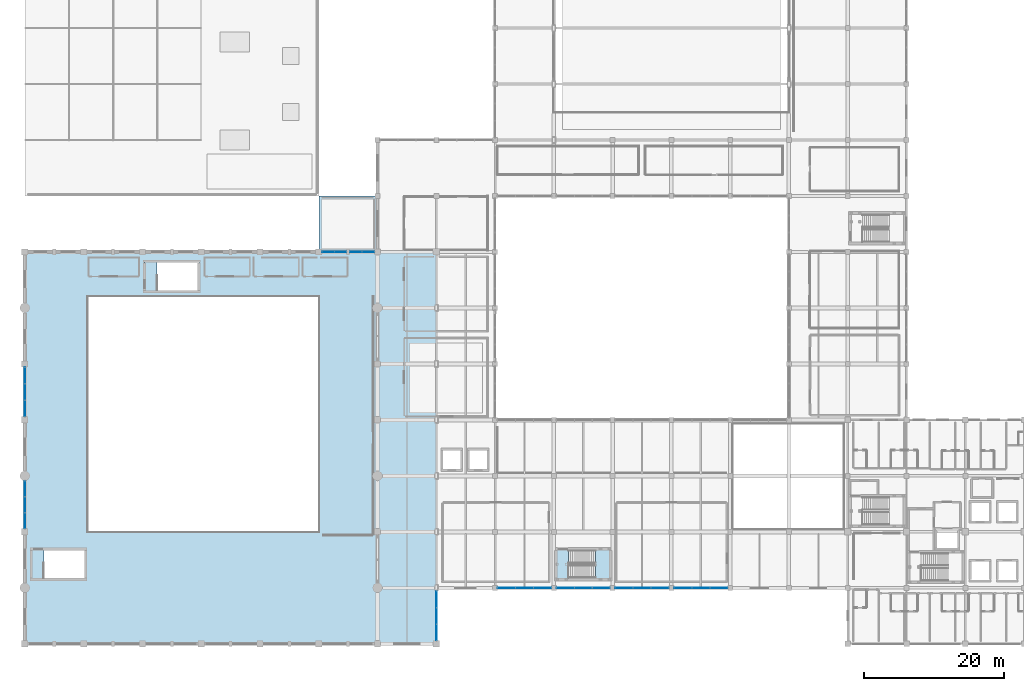
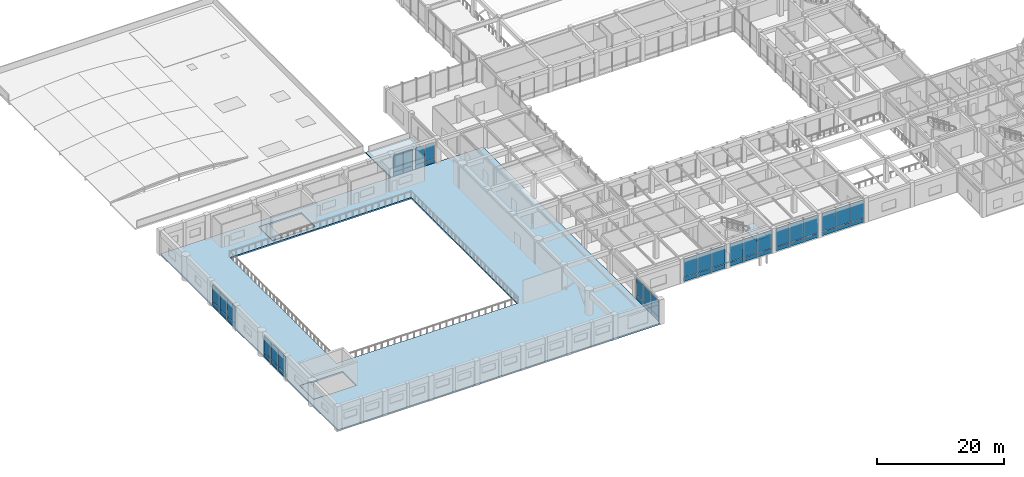
# One storey, part 44 of 76: 50 plates, 6 slabs, 10 elements without a shape of their own.
"""IFC4 building model written with IfcOpenShell, lengths in metres."""

import ifcopenshell
import ifcopenshell.guid

model = None  # the IFC model being written
_history = None  # IfcOwnerHistory: only IFC2X3 demands one
_inside = {}  # id of a spatial element -> (the spatial element, [elements in it])
_under = {}  # id of a project, library or spatial element -> (it, [spatial elements below it])
_declared = {}  # id of a project -> (the project, [libraries it declares])
_typed = {}  # id of a type object -> (the type object, [elements of that type])
_made_of = {}  # id of a material, layer set ... -> (it, [elements and type objects made of it])


def new_model(schema):
    """Start an empty IFC model of exactly this schema.

    Asked for "IFC4X3", IfcOpenShell would pick the latest addendum, in which some entities
    have other attributes; the version numbers below select the first issue.
    IFC2X3 requires an IfcOwnerHistory on every rooted entity: one is made here for all.
    """
    global model, _history
    if schema == "IFC4X3":
        model = ifcopenshell.file(schema_version=(4, 3, 0, 0))
    else:
        model = ifcopenshell.file(schema=schema)
    _inside.clear()
    _under.clear()
    _declared.clear()
    _typed.clear()
    _made_of.clear()
    _history = None
    if model.schema == "IFC2X3":
        org = make("IfcOrganization", Name="unknown")
        user = make(
            "IfcPersonAndOrganization",
            ThePerson=make("IfcPerson", FamilyName="unknown"),
            TheOrganization=org,
        )
        app = make(
            "IfcApplication",
            ApplicationDeveloper=org,
            Version="unknown",
            ApplicationFullName="unknown",
            ApplicationIdentifier="unknown",
        )
        _history = make(
            "IfcOwnerHistory",
            OwningUser=user,
            OwningApplication=app,
            ChangeAction="ADDED",
            CreationDate=0,
        )
    return model


def make(cls, **values):
    """One entity of the class cls with the attributes given. An attribute that is None is left unset."""
    return model.create_entity(
        cls, **{name: value for name, value in values.items() if value is not None}
    )


def rooted(cls, **values):
    """An entity with a GlobalId (a new one), such as an element, a storey or a relation."""
    return make(cls, GlobalId=ifcopenshell.guid.new(), OwnerHistory=_history, **values)


def si_unit(unit_type, name, prefix=None):
    """IfcSIUnit, for example si_unit("LENGTHUNIT", "METRE", prefix="MILLI")."""
    return make("IfcSIUnit", UnitType=unit_type, Prefix=prefix, Name=name)


def assignment(units):
    """IfcUnitAssignment: the units of a project."""
    return None if units is None else make("IfcUnitAssignment", Units=units)


def point(xyz):
    """IfcCartesianPoint."""
    return None if xyz is None else make("IfcCartesianPoint", Coordinates=xyz)


def direction(xyz):
    """IfcDirection."""
    return None if xyz is None else make("IfcDirection", DirectionRatios=xyz)


def frame(location, z_axis=None, x_axis=None):
    """IfcAxis2Placement3D, a coordinate frame: its origin and axes. An axis left out is left unset."""
    return make(
        "IfcAxis2Placement3D",
        Location=point(location),
        Axis=direction(z_axis),
        RefDirection=direction(x_axis),
    )


def frame_2d(location, x_axis=None):
    """IfcAxis2Placement2D, a coordinate frame in the plane: its origin and x axis."""
    return make(
        "IfcAxis2Placement2D", Location=point(location), RefDirection=direction(x_axis)
    )


def origin():
    """The frame at (0, 0, 0) with its axes left unset."""
    return frame((0.0, 0.0, 0.0))


def origin_2d():
    """The frame at (0, 0) in the plane with its x axis left unset."""
    return frame_2d((0.0, 0.0))


def place(relative_to, where):
    """IfcLocalPlacement: puts the frame where relative to a parent placement (None: the world)."""
    return make(
        "IfcLocalPlacement", PlacementRelTo=relative_to, RelativePlacement=where
    )


def context(
    kind, dimensions, precision=None, world=None, true_north=None, identifier=None
):
    """IfcGeometricRepresentationContext, for example the 3D "Model" context."""
    return make(
        "IfcGeometricRepresentationContext",
        ContextIdentifier=identifier,
        ContextType=kind,
        CoordinateSpaceDimension=dimensions,
        Precision=precision,
        WorldCoordinateSystem=world,
        TrueNorth=true_north,
    )


def subcontext(parent, identifier, kind, view, scale=None):
    """IfcGeometricRepresentationSubContext, for example "Body" below "Model"."""
    return make(
        "IfcGeometricRepresentationSubContext",
        ContextIdentifier=identifier,
        ContextType=kind,
        ParentContext=parent,
        TargetScale=scale,
        TargetView=view,
    )


def project(units=None, contexts=None):
    """IfcProject with its units and contexts."""
    return rooted(
        "IfcProject",
        Name="project",
        RepresentationContexts=contexts,
        UnitsInContext=assignment(units),
    )


def spatial(cls, under=None, at=None, **own):
    """A site, building, storey or space (cls), placed at a placement, below another one or the project."""
    s = rooted(cls, ObjectPlacement=at, **own)
    if under is not None:
        _under.setdefault(under.id(), (under, []))[1].append(s)
    return s


def polyline(points):
    """IfcPolyline through the points."""
    return make("IfcPolyline", Points=[point(p) for p in points])


def profile(cls, at=None, kind="AREA", **sizes):
    """A parametric profile (cls). Its sizes go by their IFC names, for example OverallWidth=200.0."""
    return make(cls, ProfileType=kind, Position=at, **sizes)


def rectangle(**sizes):
    """IfcRectangleProfileDef."""
    return profile("IfcRectangleProfileDef", **sizes)


def outline(outer, holes=None, kind="AREA"):
    """IfcArbitraryClosedProfileDef: a profile drawn as a closed curve; with holes, ...WithVoids."""
    if holes is None:
        return make("IfcArbitraryClosedProfileDef", ProfileType=kind, OuterCurve=outer)
    return make(
        "IfcArbitraryProfileDefWithVoids",
        ProfileType=kind,
        OuterCurve=outer,
        InnerCurves=holes,
    )


def extrude(swept, where, along, depth):
    """IfcExtrudedAreaSolid: the profile swept, set in the frame where, extruded along a direction by depth."""
    return make(
        "IfcExtrudedAreaSolid",
        SweptArea=swept,
        Position=where,
        ExtrudedDirection=direction(along),
        Depth=depth,
    )


def shape(context_of_items, identifier, shape_type, items):
    """IfcShapeRepresentation: the items that make up one representation, for example the "Body"."""
    return make(
        "IfcShapeRepresentation",
        ContextOfItems=context_of_items,
        RepresentationIdentifier=identifier,
        RepresentationType=shape_type,
        Items=items,
    )


def material(Name=None, Category=None):
    """IfcMaterial."""
    return make("IfcMaterial", Name=Name, Category=Category)


def layer(
    of_material, thickness, ventilated=None, Name=None, Category=None, Priority=None
):
    """IfcMaterialLayer: one layer of a wall or slab, of a material (None: an air gap)."""
    return make(
        "IfcMaterialLayer",
        Material=of_material,
        LayerThickness=thickness,
        IsVentilated=ventilated,
        Name=Name,
        Category=Category,
        Priority=Priority,
    )


def layer_set(layers, Name=None):
    """IfcMaterialLayerSet."""
    return make("IfcMaterialLayerSet", MaterialLayers=layers, LayerSetName=Name)


def made_of(thing, what):
    """Note that an element or type object is made of a material, layer set ...; save() writes the relation."""
    if what is not None:
        _made_of.setdefault(what.id(), (what, []))[1].append(thing)
    return thing


def type_object(cls, material=None, **own):
    """A type object (cls), such as IfcWallType, which elements share."""
    return made_of(rooted(cls, **own), material)


def element(
    cls,
    number,
    at=None,
    inside=None,
    cuts=None,
    type_object=None,
    material=None,
    context=None,
    identifier="Body",
    shape_type=None,
    held_by="IfcProductDefinitionShape",
    body=None,
    shapes=None,
    **own,
):
    """One element of the class cls, such as IfcWall. Its Tag is "e" and its number.

    at: its placement. inside: the storey or other place that contains it. cuts: it is an
    opening in that element (IfcRelVoidsElement). A single representation is given by context,
    identifier, shape_type and body (its items); several are given by shapes. held_by: the class
    of the entity that holds the representations. save() writes the other relations.
    """
    e = rooted(cls, Tag="e%d" % number, ObjectPlacement=at, **own)
    if body is not None:
        shapes = [shape(context, identifier, shape_type, body)]
    if shapes is not None:
        e.Representation = make(held_by, Representations=shapes)
    if inside is not None:
        _inside.setdefault(inside.id(), (inside, []))[1].append(e)
    if cuts is not None:
        rooted(
            "IfcRelVoidsElement", RelatingBuildingElement=cuts, RelatedOpeningElement=e
        )
    if type_object is not None:
        _typed.setdefault(type_object.id(), (type_object, []))[1].append(e)
    return made_of(e, material)


def aggregate(whole, parts):
    """IfcRelAggregates: a whole, such as a stair, and the parts it consists of."""
    return rooted("IfcRelAggregates", RelatingObject=whole, RelatedObjects=parts)


def save(model, path):
    """Write the relations noted so far, then the file.

    IfcRelAggregates (storeys below a building ...), IfcRelContainedInSpatialStructure (elements
    in a storey), IfcRelDefinesByType, IfcRelAssociatesMaterial and IfcRelDeclares: one each for
    every whole, place, type object, material and project.
    """
    for whole, parts in _under.values():
        aggregate(whole, parts)
    for where, things in _inside.values():
        rooted(
            "IfcRelContainedInSpatialStructure",
            RelatedElements=things,
            RelatingStructure=where,
        )
    for kind, things in _typed.values():
        rooted("IfcRelDefinesByType", RelatedObjects=things, RelatingType=kind)
    for what, things in _made_of.values():
        rooted("IfcRelAssociatesMaterial", RelatedObjects=things, RelatingMaterial=what)
    for by, libraries in _declared.values():
        rooted("IfcRelDeclares", RelatingContext=by, RelatedDefinitions=libraries)
    model.write(path)


model = new_model("IFC4")

# Units and contexts
model_context = context("Model", 3, precision=1e-05, world=origin(), true_north=direction((0.0, 1.0)))
body_context = subcontext(model_context, "Body", "Model", "MODEL_VIEW")
ifc_project = project(units=[si_unit("LENGTHUNIT", "METRE"), si_unit("AREAUNIT", "SQUARE_METRE"), si_unit("VOLUMEUNIT", "CUBIC_METRE"), si_unit("PLANEANGLEUNIT", "RADIAN"), si_unit("MASSUNIT", "GRAM", prefix="KILO")], contexts=[model_context])

# Site, building, storey
site_placement = place(None, origin())
site = spatial("IfcSite", under=ifc_project, at=site_placement, CompositionType="ELEMENT")
building_placement = place(site_placement, origin())
building = spatial("IfcBuilding", under=site, at=building_placement, Name="Naruveol Harbour Congress Hotel", CompositionType="ELEMENT")
storey_placement = place(building_placement, frame((0.0, 0.0, 11.39990234375)))
storey = spatial("IfcBuildingStorey", under=building, at=storey_placement, Name="L02", CompositionType="ELEMENT", Elevation=11.39990234375)

# Curtain wall, plates
ifc_material_1 = material(Name="Low-E Curtain Wall System", Category="glass")
ifc_layer_1 = layer(ifc_material_1, 0.179931640625)
ifc_layer_set_1 = layer_set([ifc_layer_1], Name="Low-E Curtain Wall System")
curtain_wall_type_1 = type_object("IfcCurtainWallType", Name="UNITISED CURTAIN WALL CW-V1W-04 6850X4220", PredefinedType="USERDEFINED", material=ifc_layer_set_1)
curtain_wall_1_placement = place(storey_placement, origin())
curtain_wall_1 = element("IfcCurtainWall", 1, at=curtain_wall_1_placement, inside=storey, type_object=curtain_wall_type_1, Name="Unitised curtain wall CW-V1W-04 L02", ObjectType="UNITISED GLAZING", PredefinedType="USERDEFINED")
ifc_material_2 = material(Name="Anodised Aluminium Spandrel", Category="aluminium")
ifc_layer_2 = layer(ifc_material_2, 0.054931640625)
ifc_layer_set_2 = layer_set([ifc_layer_2], Name="Anodised Aluminium Spandrel")
plate_type_1 = type_object("IfcPlateType", Name="INSULATED CERAMIC SPANDREL PANEL 55", PredefinedType="CURTAIN_PANEL", material=ifc_layer_set_2)
plate_1_placement = place(storey_placement, frame((-0.010009765625, 17.591796875, 0.0400390625), z_axis=(0.0, 0.0, 1.0), x_axis=(0.0, 1.0, 0.0)))
plate_1 = element("IfcPlate", 2, at=plate_1_placement, type_object=plate_type_1, Name="Curtain wall spandrel panel CW-L02-0004-PS0", PredefinedType="CURTAIN_PANEL", context=body_context, shape_type="SweptSolid", body=[
    extrude(rectangle(XDim=2.202880859375, YDim=0.054931640625, at=origin_2d()), origin(), (0.0, 0.0, 1.0), 0.77001953125),
])
plate_2_placement = place(storey_placement, frame((-0.010009765625, 19.875, 0.0400390625), z_axis=(0.0, 0.0, 1.0), x_axis=(0.0, 1.0, 0.0)))
plate_2 = element("IfcPlate", 3, at=plate_2_placement, type_object=plate_type_1, Name="Curtain wall spandrel panel CW-L02-0004-PS1", PredefinedType="CURTAIN_PANEL", context=body_context, shape_type="SweptSolid", body=[
    extrude(rectangle(XDim=2.202880859375, YDim=0.054931640625, at=origin_2d()), origin(), (0.0, 0.0, 1.0), 0.77001953125),
])
plate_3_placement = place(storey_placement, frame((-0.010009765625, 22.158203125, 0.0400390625), z_axis=(0.0, 0.0, 1.0), x_axis=(0.0, 1.0, 0.0)))
plate_3 = element("IfcPlate", 4, at=plate_3_placement, type_object=plate_type_1, Name="Curtain wall spandrel panel CW-L02-0004-PS2", PredefinedType="CURTAIN_PANEL", context=body_context, shape_type="SweptSolid", body=[
    extrude(rectangle(XDim=2.202880859375, YDim=0.054931640625, at=origin_2d()), origin(), (0.0, 0.0, 1.0), 0.77001953125),
])

ifc_material_3 = material(Name="Low-E Curtain Wall System", Category="glass")
ifc_layer_3 = layer(ifc_material_3, 0.179931640625)
ifc_layer_set_3 = layer_set([ifc_layer_3], Name="Low-E Curtain Wall System")
curtain_wall_type_2 = type_object("IfcCurtainWallType", Name="UNITISED CURTAIN WALL CW-V1W-05 7100X4220", PredefinedType="USERDEFINED", material=ifc_layer_set_3)
curtain_wall_2_placement = place(storey_placement, origin())
curtain_wall_2 = element("IfcCurtainWall", 5, at=curtain_wall_2_placement, inside=storey, type_object=curtain_wall_type_2, Name="Unitised curtain wall CW-V1W-05 L02", ObjectType="UNITISED GLAZING", PredefinedType="USERDEFINED")
plate_4_placement = place(storey_placement, frame((-0.010009765625, 33.63330078125, 0.0400390625), z_axis=(0.0, 0.0, 1.0), x_axis=(0.0, 1.0, 0.0)))
plate_4 = element("IfcPlate", 6, at=plate_4_placement, type_object=plate_type_1, Name="Curtain wall spandrel panel CW-L02-0005-PS0", PredefinedType="CURTAIN_PANEL", context=body_context, shape_type="SweptSolid", body=[
    extrude(rectangle(XDim=2.287109375, YDim=0.054931640625, at=origin_2d()), origin(), (0.0, 0.0, 1.0), 0.77001953125),
])
plate_5_placement = place(storey_placement, frame((-0.010009765625, 36.0, 0.0400390625), z_axis=(0.0, 0.0, 1.0), x_axis=(0.0, 1.0, 0.0)))
plate_5 = element("IfcPlate", 7, at=plate_5_placement, type_object=plate_type_1, Name="Curtain wall spandrel panel CW-L02-0005-PS1", PredefinedType="CURTAIN_PANEL", context=body_context, shape_type="SweptSolid", body=[
    extrude(rectangle(XDim=2.287109375, YDim=0.054931640625, at=origin_2d()), origin(), (0.0, 0.0, 1.0), 0.77001953125),
])
plate_6_placement = place(storey_placement, frame((-0.010009765625, 38.36669921875, 0.0400390625), z_axis=(0.0, 0.0, 1.0), x_axis=(0.0, 1.0, 0.0)))
plate_6 = element("IfcPlate", 8, at=plate_6_placement, type_object=plate_type_1, Name="Curtain wall spandrel panel CW-L02-0005-PS2", PredefinedType="CURTAIN_PANEL", context=body_context, shape_type="SweptSolid", body=[
    extrude(rectangle(XDim=2.287109375, YDim=0.054931640625, at=origin_2d()), origin(), (0.0, 0.0, 1.0), 0.77001953125),
])

ifc_material_4 = material(Name="Low-E Curtain Wall System", Category="glass")
ifc_layer_4 = layer(ifc_material_4, 0.179931640625)
ifc_layer_set_4 = layer_set([ifc_layer_4], Name="Low-E Curtain Wall System")
curtain_wall_type_3 = type_object("IfcCurtainWallType", Name="UNITISED CURTAIN WALL CW-V1F-06 7100X4220", PredefinedType="USERDEFINED", material=ifc_layer_set_4)
curtain_wall_3_placement = place(storey_placement, origin())
curtain_wall_3 = element("IfcCurtainWall", 9, at=curtain_wall_3_placement, inside=storey, type_object=curtain_wall_type_3, Name="Unitised curtain wall CW-V1F-06 L02", ObjectType="UNITISED GLAZING", PredefinedType="USERDEFINED")
plate_7_placement = place(storey_placement, frame((58.81005859375, 6.36669921875, 0.0400390625), z_axis=(0.0, 0.0, 1.0), x_axis=(0.0, -1.0, 0.0)))
plate_7 = element("IfcPlate", 10, at=plate_7_placement, type_object=plate_type_1, Name="Curtain wall spandrel panel CW-L02-0006-PS0", PredefinedType="CURTAIN_PANEL", context=body_context, shape_type="SweptSolid", body=[
    extrude(rectangle(XDim=2.287109375, YDim=0.054931640625, at=origin_2d()), origin(), (0.0, 0.0, 1.0), 0.77001953125),
])
plate_8_placement = place(storey_placement, frame((58.81005859375, 4.0, 0.0400390625), z_axis=(0.0, 0.0, 1.0), x_axis=(0.0, -1.0, 0.0)))
plate_8 = element("IfcPlate", 11, at=plate_8_placement, type_object=plate_type_1, Name="Curtain wall spandrel panel CW-L02-0006-PS1", PredefinedType="CURTAIN_PANEL", context=body_context, shape_type="SweptSolid", body=[
    extrude(rectangle(XDim=2.287109375, YDim=0.054931640625, at=origin_2d()), origin(), (0.0, 0.0, 1.0), 0.77001953125),
])
plate_9_placement = place(storey_placement, frame((58.81005859375, 1.63330078125, 0.0400390625), z_axis=(0.0, 0.0, 1.0), x_axis=(0.0, -1.0, 0.0)))
plate_9 = element("IfcPlate", 12, at=plate_9_placement, type_object=plate_type_1, Name="Curtain wall spandrel panel CW-L02-0006-PS2", PredefinedType="CURTAIN_PANEL", context=body_context, shape_type="SweptSolid", body=[
    extrude(rectangle(XDim=2.287109375, YDim=0.054931640625, at=origin_2d()), origin(), (0.0, 0.0, 1.0), 0.77001953125),
])

ifc_material_5 = material(Name="Low-E Curtain Wall System", Category="glass")
ifc_layer_5 = layer(ifc_material_5, 0.179931640625)
ifc_layer_set_5 = layer_set([ifc_layer_5], Name="Low-E Curtain Wall System")
curtain_wall_type_4 = type_object("IfcCurtainWallType", Name="UNITISED CURTAIN WALL CW-V1N-07 3525X4220", PredefinedType="USERDEFINED", material=ifc_layer_set_5)
curtain_wall_4_placement = place(storey_placement, origin())
curtain_wall_4 = element("IfcCurtainWall", 13, at=curtain_wall_4_placement, inside=storey, type_object=curtain_wall_type_4, Name="Unitised curtain wall CW-V1N-07 L02", ObjectType="UNITISED GLAZING", PredefinedType="USERDEFINED")
plate_10_placement = place(storey_placement, frame((43.331298828125, 56.010009765625, 0.0400390625), z_axis=(0.0, 0.0, 1.0), x_axis=(1.0, 0.0, 0.0)))
plate_10 = element("IfcPlate", 14, at=plate_10_placement, type_object=plate_type_1, Name="Curtain wall spandrel panel CW-L02-0007-PS0", PredefinedType="CURTAIN_PANEL", context=body_context, shape_type="SweptSolid", body=[
    extrude(rectangle(XDim=1.681884765625, YDim=0.054931640625, at=origin_2d()), origin(), (0.0, 0.0, 1.0), 0.77001953125),
])
plate_11_placement = place(storey_placement, frame((45.09375, 56.010009765625, 0.0400390625), z_axis=(0.0, 0.0, 1.0), x_axis=(1.0, 0.0, 0.0)))
plate_11 = element("IfcPlate", 15, at=plate_11_placement, type_object=plate_type_1, Name="Curtain wall spandrel panel CW-L02-0007-PS1", PredefinedType="CURTAIN_PANEL", context=body_context, shape_type="SweptSolid", body=[
    extrude(rectangle(XDim=1.681884765625, YDim=0.054931640625, at=origin_2d()), origin(), (0.0, 0.0, 1.0), 0.77001953125),
])

curtain_wall_5_placement = place(storey_placement, origin())
curtain_wall_5 = element("IfcCurtainWall", 16, at=curtain_wall_5_placement, inside=storey, type_object=curtain_wall_type_4, Name="Unitised curtain wall CW-V1N-07 L02", ObjectType="UNITISED GLAZING", PredefinedType="USERDEFINED")
plate_12_placement = place(storey_placement, frame((47.30615234375, 56.010009765625, 0.0400390625), z_axis=(0.0, 0.0, 1.0), x_axis=(1.0, 0.0, 0.0)))
plate_12 = element("IfcPlate", 17, at=plate_12_placement, type_object=plate_type_1, Name="Curtain wall spandrel panel CW-L02-0008-PS0", PredefinedType="CURTAIN_PANEL", context=body_context, shape_type="SweptSolid", body=[
    extrude(rectangle(XDim=1.681884765625, YDim=0.054931640625, at=origin_2d()), origin(), (0.0, 0.0, 1.0), 0.77001953125),
])
plate_13_placement = place(storey_placement, frame((49.06884765625, 56.010009765625, 0.0400390625), z_axis=(0.0, 0.0, 1.0), x_axis=(1.0, 0.0, 0.0)))
plate_13 = element("IfcPlate", 18, at=plate_13_placement, type_object=plate_type_1, Name="Curtain wall spandrel panel CW-L02-0008-PS1", PredefinedType="CURTAIN_PANEL", context=body_context, shape_type="SweptSolid", body=[
    extrude(rectangle(XDim=1.681884765625, YDim=0.054931640625, at=origin_2d()), origin(), (0.0, 0.0, 1.0), 0.77001953125),
])

ifc_material_6 = material(Name="Low-E Curtain Wall System", Category="glass")
ifc_layer_6 = layer(ifc_material_6, 0.179931640625)
ifc_layer_set_6 = layer_set([ifc_layer_6], Name="Low-E Curtain Wall System")
curtain_wall_type_5 = type_object("IfcCurtainWallType", Name="UNITISED CURTAIN WALL CW-V4S-38 7700X4500", PredefinedType="USERDEFINED", material=ifc_layer_set_6)
curtain_wall_6_placement = place(storey_placement, origin())
curtain_wall_6 = element("IfcCurtainWall", 19, at=curtain_wall_6_placement, inside=storey, type_object=curtain_wall_type_5, Name="Unitised curtain wall CW-V4S-38 L02", ObjectType="UNITISED GLAZING", PredefinedType="USERDEFINED")
plate_14_placement = place(storey_placement, frame((99.166748046875, 7.989990234375, 0.0400390625), z_axis=(0.0, 0.0, 1.0), x_axis=(-1.0, 0.0, 0.0)))
plate_14 = element("IfcPlate", 20, at=plate_14_placement, type_object=plate_type_1, Name="Curtain wall spandrel panel CW-L02-0096-PS0", PredefinedType="CURTAIN_PANEL", context=body_context, shape_type="SweptSolid", body=[
    extrude(rectangle(XDim=2.487060546875, YDim=0.054931640625, at=origin_2d()), origin(), (0.0, 0.0, 1.0), 0.77001953125),
])
plate_15_placement = place(storey_placement, frame((96.60009765625, 7.989990234375, 0.0400390625), z_axis=(0.0, 0.0, 1.0), x_axis=(-1.0, 0.0, 0.0)))
plate_15 = element("IfcPlate", 21, at=plate_15_placement, type_object=plate_type_1, Name="Curtain wall spandrel panel CW-L02-0096-PS1", PredefinedType="CURTAIN_PANEL", context=body_context, shape_type="SweptSolid", body=[
    extrude(rectangle(XDim=2.487060546875, YDim=0.054931640625, at=origin_2d()), origin(), (0.0, 0.0, 1.0), 0.77001953125),
])
plate_16_placement = place(storey_placement, frame((94.033203125, 7.989990234375, 0.0400390625), z_axis=(0.0, 0.0, 1.0), x_axis=(-1.0, 0.0, 0.0)))
plate_16 = element("IfcPlate", 22, at=plate_16_placement, type_object=plate_type_1, Name="Curtain wall spandrel panel CW-L02-0096-PS2", PredefinedType="CURTAIN_PANEL", context=body_context, shape_type="SweptSolid", body=[
    extrude(rectangle(XDim=2.487060546875, YDim=0.054931640625, at=origin_2d()), origin(), (0.0, 0.0, 1.0), 0.77001953125),
])

curtain_wall_7_placement = place(storey_placement, origin())
curtain_wall_7 = element("IfcCurtainWall", 23, at=curtain_wall_7_placement, inside=storey, type_object=curtain_wall_type_5, Name="Unitised curtain wall CW-V4S-38 L02", ObjectType="UNITISED GLAZING", PredefinedType="USERDEFINED")
plate_17_placement = place(storey_placement, frame((90.7666015625, 7.989990234375, 0.0400390625), z_axis=(0.0, 0.0, 1.0), x_axis=(-1.0, 0.0, 0.0)))
plate_17 = element("IfcPlate", 24, at=plate_17_placement, type_object=plate_type_1, Name="Curtain wall spandrel panel CW-L02-0097-PS0", PredefinedType="CURTAIN_PANEL", context=body_context, shape_type="SweptSolid", body=[
    extrude(rectangle(XDim=2.487060546875, YDim=0.054931640625, at=origin_2d()), origin(), (0.0, 0.0, 1.0), 0.77001953125),
])
plate_18_placement = place(storey_placement, frame((88.199951171875, 7.989990234375, 0.0400390625), z_axis=(0.0, 0.0, 1.0), x_axis=(-1.0, 0.0, 0.0)))
plate_18 = element("IfcPlate", 25, at=plate_18_placement, type_object=plate_type_1, Name="Curtain wall spandrel panel CW-L02-0097-PS1", PredefinedType="CURTAIN_PANEL", context=body_context, shape_type="SweptSolid", body=[
    extrude(rectangle(XDim=2.487060546875, YDim=0.054931640625, at=origin_2d()), origin(), (0.0, 0.0, 1.0), 0.77001953125),
])
plate_19_placement = place(storey_placement, frame((85.63330078125, 7.989990234375, 0.0400390625), z_axis=(0.0, 0.0, 1.0), x_axis=(-1.0, 0.0, 0.0)))
plate_19 = element("IfcPlate", 26, at=plate_19_placement, type_object=plate_type_1, Name="Curtain wall spandrel panel CW-L02-0097-PS2", PredefinedType="CURTAIN_PANEL", context=body_context, shape_type="SweptSolid", body=[
    extrude(rectangle(XDim=2.487060546875, YDim=0.054931640625, at=origin_2d()), origin(), (0.0, 0.0, 1.0), 0.77001953125),
])

curtain_wall_8_placement = place(storey_placement, origin())
curtain_wall_8 = element("IfcCurtainWall", 27, at=curtain_wall_8_placement, inside=storey, type_object=curtain_wall_type_5, Name="Unitised curtain wall CW-V4S-38 L02", ObjectType="UNITISED GLAZING", PredefinedType="USERDEFINED")
plate_20_placement = place(storey_placement, frame((82.36669921875, 7.989990234375, 0.0400390625), z_axis=(0.0, 0.0, 1.0), x_axis=(-1.0, 0.0, 0.0)))
plate_20 = element("IfcPlate", 28, at=plate_20_placement, type_object=plate_type_1, Name="Curtain wall spandrel panel CW-L02-0098-PS0", PredefinedType="CURTAIN_PANEL", context=body_context, shape_type="SweptSolid", body=[
    extrude(rectangle(XDim=2.487060546875, YDim=0.054931640625, at=origin_2d()), origin(), (0.0, 0.0, 1.0), 0.77001953125),
])
plate_21_placement = place(storey_placement, frame((79.800048828125, 7.989990234375, 0.0400390625), z_axis=(0.0, 0.0, 1.0), x_axis=(-1.0, 0.0, 0.0)))
plate_21 = element("IfcPlate", 29, at=plate_21_placement, type_object=plate_type_1, Name="Curtain wall spandrel panel CW-L02-0098-PS1", PredefinedType="CURTAIN_PANEL", context=body_context, shape_type="SweptSolid", body=[
    extrude(rectangle(XDim=2.487060546875, YDim=0.054931640625, at=origin_2d()), origin(), (0.0, 0.0, 1.0), 0.77001953125),
])
plate_22_placement = place(storey_placement, frame((77.2333984375, 7.989990234375, 0.0400390625), z_axis=(0.0, 0.0, 1.0), x_axis=(-1.0, 0.0, 0.0)))
plate_22 = element("IfcPlate", 30, at=plate_22_placement, type_object=plate_type_1, Name="Curtain wall spandrel panel CW-L02-0098-PS2", PredefinedType="CURTAIN_PANEL", context=body_context, shape_type="SweptSolid", body=[
    extrude(rectangle(XDim=2.487060546875, YDim=0.054931640625, at=origin_2d()), origin(), (0.0, 0.0, 1.0), 0.77001953125),
])

curtain_wall_9_placement = place(storey_placement, origin())
curtain_wall_9 = element("IfcCurtainWall", 31, at=curtain_wall_9_placement, inside=storey, type_object=curtain_wall_type_5, Name="Unitised curtain wall CW-V4S-38 L02", ObjectType="UNITISED GLAZING", PredefinedType="USERDEFINED")
plate_23_placement = place(storey_placement, frame((73.966796875, 7.989990234375, 0.0400390625), z_axis=(0.0, 0.0, 1.0), x_axis=(-1.0, 0.0, 0.0)))
plate_23 = element("IfcPlate", 32, at=plate_23_placement, type_object=plate_type_1, Name="Curtain wall spandrel panel CW-L02-0099-PS0", PredefinedType="CURTAIN_PANEL", context=body_context, shape_type="SweptSolid", body=[
    extrude(rectangle(XDim=2.487060546875, YDim=0.054931640625, at=origin_2d()), origin(), (0.0, 0.0, 1.0), 0.77001953125),
])
plate_24_placement = place(storey_placement, frame((71.39990234375, 7.989990234375, 0.0400390625), z_axis=(0.0, 0.0, 1.0), x_axis=(-1.0, 0.0, 0.0)))
plate_24 = element("IfcPlate", 33, at=plate_24_placement, type_object=plate_type_1, Name="Curtain wall spandrel panel CW-L02-0099-PS1", PredefinedType="CURTAIN_PANEL", context=body_context, shape_type="SweptSolid", body=[
    extrude(rectangle(XDim=2.487060546875, YDim=0.054931640625, at=origin_2d()), origin(), (0.0, 0.0, 1.0), 0.77001953125),
])
plate_25_placement = place(storey_placement, frame((68.833251953125, 7.989990234375, 0.0400390625), z_axis=(0.0, 0.0, 1.0), x_axis=(-1.0, 0.0, 0.0)))
plate_25 = element("IfcPlate", 34, at=plate_25_placement, type_object=plate_type_1, Name="Curtain wall spandrel panel CW-L02-0099-PS2", PredefinedType="CURTAIN_PANEL", context=body_context, shape_type="SweptSolid", body=[
    extrude(rectangle(XDim=2.487060546875, YDim=0.054931640625, at=origin_2d()), origin(), (0.0, 0.0, 1.0), 0.77001953125),
])

# Plate
ifc_material_7 = material(Name="Low-E Insulated Glass", Category="glass")
ifc_layer_7 = layer(ifc_material_7, 0.0419921875)
ifc_layer_set_7 = layer_set([ifc_layer_7], Name="Low-E Insulated Glass")
plate_type_2 = type_object("IfcPlateType", Name="LOW-E TRIPLE GLAZED CURTAIN PANEL 42", PredefinedType="CURTAIN_PANEL", material=ifc_layer_set_7)
plate_26_placement = place(storey_placement, frame((-0.010009765625, 17.591796875, 0.89013671875), z_axis=(0.0, 0.0, 1.0), x_axis=(0.0, 1.0, 0.0)))
plate_26 = element("IfcPlate", 35, at=plate_26_placement, type_object=plate_type_2, Name="Curtain wall vision panel CW-L02-0004-PG0", PredefinedType="CURTAIN_PANEL", context=body_context, shape_type="SweptSolid", body=[
    extrude(rectangle(XDim=2.202880859375, YDim=0.0419921875, at=origin_2d()), origin(), (0.0, 0.0, 1.0), 3.2099609375),
])

plate_27_placement = place(storey_placement, frame((-0.010009765625, 19.875, 0.89013671875), z_axis=(0.0, 0.0, 1.0), x_axis=(0.0, 1.0, 0.0)))
plate_27 = element("IfcPlate", 36, at=plate_27_placement, type_object=plate_type_2, Name="Curtain wall vision panel CW-L02-0004-PG1", PredefinedType="CURTAIN_PANEL", context=body_context, shape_type="SweptSolid", body=[
    extrude(rectangle(XDim=2.202880859375, YDim=0.0419921875, at=origin_2d()), origin(), (0.0, 0.0, 1.0), 3.2099609375),
])

plate_28_placement = place(storey_placement, frame((-0.010009765625, 22.158203125, 0.89013671875), z_axis=(0.0, 0.0, 1.0), x_axis=(0.0, 1.0, 0.0)))
plate_28 = element("IfcPlate", 37, at=plate_28_placement, type_object=plate_type_2, Name="Curtain wall vision panel CW-L02-0004-PG2", PredefinedType="CURTAIN_PANEL", context=body_context, shape_type="SweptSolid", body=[
    extrude(rectangle(XDim=2.202880859375, YDim=0.0419921875, at=origin_2d()), origin(), (0.0, 0.0, 1.0), 3.2099609375),
])

aggregate(curtain_wall_1, [plate_1, plate_26, plate_2, plate_27, plate_3, plate_28])

plate_29_placement = place(storey_placement, frame((-0.010009765625, 33.63330078125, 0.89013671875), z_axis=(0.0, 0.0, 1.0), x_axis=(0.0, 1.0, 0.0)))
plate_29 = element("IfcPlate", 38, at=plate_29_placement, type_object=plate_type_2, Name="Curtain wall vision panel CW-L02-0005-PG0", PredefinedType="CURTAIN_PANEL", context=body_context, shape_type="SweptSolid", body=[
    extrude(rectangle(XDim=2.287109375, YDim=0.0419921875, at=origin_2d()), origin(), (0.0, 0.0, 1.0), 3.2099609375),
])

plate_30_placement = place(storey_placement, frame((-0.010009765625, 36.0, 0.89013671875), z_axis=(0.0, 0.0, 1.0), x_axis=(0.0, 1.0, 0.0)))
plate_30 = element("IfcPlate", 39, at=plate_30_placement, type_object=plate_type_2, Name="Curtain wall vision panel CW-L02-0005-PG1", PredefinedType="CURTAIN_PANEL", context=body_context, shape_type="SweptSolid", body=[
    extrude(rectangle(XDim=2.287109375, YDim=0.0419921875, at=origin_2d()), origin(), (0.0, 0.0, 1.0), 3.2099609375),
])

plate_31_placement = place(storey_placement, frame((-0.010009765625, 38.36669921875, 0.89013671875), z_axis=(0.0, 0.0, 1.0), x_axis=(0.0, 1.0, 0.0)))
plate_31 = element("IfcPlate", 40, at=plate_31_placement, type_object=plate_type_2, Name="Curtain wall vision panel CW-L02-0005-PG2", PredefinedType="CURTAIN_PANEL", context=body_context, shape_type="SweptSolid", body=[
    extrude(rectangle(XDim=2.287109375, YDim=0.0419921875, at=origin_2d()), origin(), (0.0, 0.0, 1.0), 3.2099609375),
])

aggregate(curtain_wall_2, [plate_4, plate_29, plate_5, plate_30, plate_6, plate_31])

plate_32_placement = place(storey_placement, frame((58.81005859375, 6.36669921875, 0.89013671875), z_axis=(0.0, 0.0, 1.0), x_axis=(0.0, -1.0, 0.0)))
plate_32 = element("IfcPlate", 41, at=plate_32_placement, type_object=plate_type_2, Name="Curtain wall vision panel CW-L02-0006-PG0", PredefinedType="CURTAIN_PANEL", context=body_context, shape_type="SweptSolid", body=[
    extrude(rectangle(XDim=2.287109375, YDim=0.0419921875, at=origin_2d()), origin(), (0.0, 0.0, 1.0), 3.2099609375),
])

plate_33_placement = place(storey_placement, frame((58.81005859375, 4.0, 0.89013671875), z_axis=(0.0, 0.0, 1.0), x_axis=(0.0, -1.0, 0.0)))
plate_33 = element("IfcPlate", 42, at=plate_33_placement, type_object=plate_type_2, Name="Curtain wall vision panel CW-L02-0006-PG1", PredefinedType="CURTAIN_PANEL", context=body_context, shape_type="SweptSolid", body=[
    extrude(rectangle(XDim=2.287109375, YDim=0.0419921875, at=origin_2d()), origin(), (0.0, 0.0, 1.0), 3.2099609375),
])

plate_34_placement = place(storey_placement, frame((58.81005859375, 1.63330078125, 0.89013671875), z_axis=(0.0, 0.0, 1.0), x_axis=(0.0, -1.0, 0.0)))
plate_34 = element("IfcPlate", 43, at=plate_34_placement, type_object=plate_type_2, Name="Curtain wall vision panel CW-L02-0006-PG2", PredefinedType="CURTAIN_PANEL", context=body_context, shape_type="SweptSolid", body=[
    extrude(rectangle(XDim=2.287109375, YDim=0.0419921875, at=origin_2d()), origin(), (0.0, 0.0, 1.0), 3.2099609375),
])

aggregate(curtain_wall_3, [plate_7, plate_32, plate_8, plate_33, plate_9, plate_34])

plate_35_placement = place(storey_placement, frame((43.331298828125, 56.010009765625, 0.89013671875), z_axis=(0.0, 0.0, 1.0), x_axis=(1.0, 0.0, 0.0)))
plate_35 = element("IfcPlate", 44, at=plate_35_placement, type_object=plate_type_2, Name="Curtain wall vision panel CW-L02-0007-PG0", PredefinedType="CURTAIN_PANEL", context=body_context, shape_type="SweptSolid", body=[
    extrude(rectangle(XDim=1.681884765625, YDim=0.0419921875, at=origin_2d()), origin(), (0.0, 0.0, 1.0), 3.2099609375),
])

plate_36_placement = place(storey_placement, frame((45.09375, 56.010009765625, 0.89013671875), z_axis=(0.0, 0.0, 1.0), x_axis=(1.0, 0.0, 0.0)))
plate_36 = element("IfcPlate", 45, at=plate_36_placement, type_object=plate_type_2, Name="Curtain wall vision panel CW-L02-0007-PG1", PredefinedType="CURTAIN_PANEL", context=body_context, shape_type="SweptSolid", body=[
    extrude(rectangle(XDim=1.681884765625, YDim=0.0419921875, at=origin_2d()), origin(), (0.0, 0.0, 1.0), 3.2099609375),
])

aggregate(curtain_wall_4, [plate_10, plate_35, plate_11, plate_36])

plate_37_placement = place(storey_placement, frame((47.30615234375, 56.010009765625, 0.89013671875), z_axis=(0.0, 0.0, 1.0), x_axis=(1.0, 0.0, 0.0)))
plate_37 = element("IfcPlate", 46, at=plate_37_placement, type_object=plate_type_2, Name="Curtain wall vision panel CW-L02-0008-PG0", PredefinedType="CURTAIN_PANEL", context=body_context, shape_type="SweptSolid", body=[
    extrude(rectangle(XDim=1.681884765625, YDim=0.0419921875, at=origin_2d()), origin(), (0.0, 0.0, 1.0), 3.2099609375),
])

plate_38_placement = place(storey_placement, frame((49.06884765625, 56.010009765625, 0.89013671875), z_axis=(0.0, 0.0, 1.0), x_axis=(1.0, 0.0, 0.0)))
plate_38 = element("IfcPlate", 47, at=plate_38_placement, type_object=plate_type_2, Name="Curtain wall vision panel CW-L02-0008-PG1", PredefinedType="CURTAIN_PANEL", context=body_context, shape_type="SweptSolid", body=[
    extrude(rectangle(XDim=1.681884765625, YDim=0.0419921875, at=origin_2d()), origin(), (0.0, 0.0, 1.0), 3.2099609375),
])

aggregate(curtain_wall_5, [plate_12, plate_37, plate_13, plate_38])

plate_39_placement = place(storey_placement, frame((99.166748046875, 7.989990234375, 0.89013671875), z_axis=(0.0, 0.0, 1.0), x_axis=(-1.0, 0.0, 0.0)))
plate_39 = element("IfcPlate", 48, at=plate_39_placement, type_object=plate_type_2, Name="Curtain wall vision panel CW-L02-0096-PG0", PredefinedType="CURTAIN_PANEL", context=body_context, shape_type="SweptSolid", body=[
    extrude(rectangle(XDim=2.487060546875, YDim=0.0419921875, at=origin_2d()), origin(), (0.0, 0.0, 1.0), 3.489990234375),
])

plate_40_placement = place(storey_placement, frame((96.60009765625, 7.989990234375, 0.89013671875), z_axis=(0.0, 0.0, 1.0), x_axis=(-1.0, 0.0, 0.0)))
plate_40 = element("IfcPlate", 49, at=plate_40_placement, type_object=plate_type_2, Name="Curtain wall vision panel CW-L02-0096-PG1", PredefinedType="CURTAIN_PANEL", context=body_context, shape_type="SweptSolid", body=[
    extrude(rectangle(XDim=2.487060546875, YDim=0.0419921875, at=origin_2d()), origin(), (0.0, 0.0, 1.0), 3.489990234375),
])

plate_41_placement = place(storey_placement, frame((94.033203125, 7.989990234375, 0.89013671875), z_axis=(0.0, 0.0, 1.0), x_axis=(-1.0, 0.0, 0.0)))
plate_41 = element("IfcPlate", 50, at=plate_41_placement, type_object=plate_type_2, Name="Curtain wall vision panel CW-L02-0096-PG2", PredefinedType="CURTAIN_PANEL", context=body_context, shape_type="SweptSolid", body=[
    extrude(rectangle(XDim=2.487060546875, YDim=0.0419921875, at=origin_2d()), origin(), (0.0, 0.0, 1.0), 3.489990234375),
])

aggregate(curtain_wall_6, [plate_14, plate_39, plate_15, plate_40, plate_16, plate_41])

plate_42_placement = place(storey_placement, frame((90.7666015625, 7.989990234375, 0.89013671875), z_axis=(0.0, 0.0, 1.0), x_axis=(-1.0, 0.0, 0.0)))
plate_42 = element("IfcPlate", 51, at=plate_42_placement, type_object=plate_type_2, Name="Curtain wall vision panel CW-L02-0097-PG0", PredefinedType="CURTAIN_PANEL", context=body_context, shape_type="SweptSolid", body=[
    extrude(rectangle(XDim=2.487060546875, YDim=0.0419921875, at=origin_2d()), origin(), (0.0, 0.0, 1.0), 3.489990234375),
])

plate_43_placement = place(storey_placement, frame((88.199951171875, 7.989990234375, 0.89013671875), z_axis=(0.0, 0.0, 1.0), x_axis=(-1.0, 0.0, 0.0)))
plate_43 = element("IfcPlate", 52, at=plate_43_placement, type_object=plate_type_2, Name="Curtain wall vision panel CW-L02-0097-PG1", PredefinedType="CURTAIN_PANEL", context=body_context, shape_type="SweptSolid", body=[
    extrude(rectangle(XDim=2.487060546875, YDim=0.0419921875, at=origin_2d()), origin(), (0.0, 0.0, 1.0), 3.489990234375),
])

plate_44_placement = place(storey_placement, frame((85.63330078125, 7.989990234375, 0.89013671875), z_axis=(0.0, 0.0, 1.0), x_axis=(-1.0, 0.0, 0.0)))
plate_44 = element("IfcPlate", 53, at=plate_44_placement, type_object=plate_type_2, Name="Curtain wall vision panel CW-L02-0097-PG2", PredefinedType="CURTAIN_PANEL", context=body_context, shape_type="SweptSolid", body=[
    extrude(rectangle(XDim=2.487060546875, YDim=0.0419921875, at=origin_2d()), origin(), (0.0, 0.0, 1.0), 3.489990234375),
])

aggregate(curtain_wall_7, [plate_17, plate_42, plate_18, plate_43, plate_19, plate_44])

plate_45_placement = place(storey_placement, frame((82.36669921875, 7.989990234375, 0.89013671875), z_axis=(0.0, 0.0, 1.0), x_axis=(-1.0, 0.0, 0.0)))
plate_45 = element("IfcPlate", 54, at=plate_45_placement, type_object=plate_type_2, Name="Curtain wall vision panel CW-L02-0098-PG0", PredefinedType="CURTAIN_PANEL", context=body_context, shape_type="SweptSolid", body=[
    extrude(rectangle(XDim=2.487060546875, YDim=0.0419921875, at=origin_2d()), origin(), (0.0, 0.0, 1.0), 3.489990234375),
])

plate_46_placement = place(storey_placement, frame((79.800048828125, 7.989990234375, 0.89013671875), z_axis=(0.0, 0.0, 1.0), x_axis=(-1.0, 0.0, 0.0)))
plate_46 = element("IfcPlate", 55, at=plate_46_placement, type_object=plate_type_2, Name="Curtain wall vision panel CW-L02-0098-PG1", PredefinedType="CURTAIN_PANEL", context=body_context, shape_type="SweptSolid", body=[
    extrude(rectangle(XDim=2.487060546875, YDim=0.0419921875, at=origin_2d()), origin(), (0.0, 0.0, 1.0), 3.489990234375),
])

plate_47_placement = place(storey_placement, frame((77.2333984375, 7.989990234375, 0.89013671875), z_axis=(0.0, 0.0, 1.0), x_axis=(-1.0, 0.0, 0.0)))
plate_47 = element("IfcPlate", 56, at=plate_47_placement, type_object=plate_type_2, Name="Curtain wall vision panel CW-L02-0098-PG2", PredefinedType="CURTAIN_PANEL", context=body_context, shape_type="SweptSolid", body=[
    extrude(rectangle(XDim=2.487060546875, YDim=0.0419921875, at=origin_2d()), origin(), (0.0, 0.0, 1.0), 3.489990234375),
])

aggregate(curtain_wall_8, [plate_20, plate_45, plate_21, plate_46, plate_22, plate_47])

plate_48_placement = place(storey_placement, frame((73.966796875, 7.989990234375, 0.89013671875), z_axis=(0.0, 0.0, 1.0), x_axis=(-1.0, 0.0, 0.0)))
plate_48 = element("IfcPlate", 57, at=plate_48_placement, type_object=plate_type_2, Name="Curtain wall vision panel CW-L02-0099-PG0", PredefinedType="CURTAIN_PANEL", context=body_context, shape_type="SweptSolid", body=[
    extrude(rectangle(XDim=2.487060546875, YDim=0.0419921875, at=origin_2d()), origin(), (0.0, 0.0, 1.0), 3.489990234375),
])

plate_49_placement = place(storey_placement, frame((71.39990234375, 7.989990234375, 0.89013671875), z_axis=(0.0, 0.0, 1.0), x_axis=(-1.0, 0.0, 0.0)))
plate_49 = element("IfcPlate", 58, at=plate_49_placement, type_object=plate_type_2, Name="Curtain wall vision panel CW-L02-0099-PG1", PredefinedType="CURTAIN_PANEL", context=body_context, shape_type="SweptSolid", body=[
    extrude(rectangle(XDim=2.487060546875, YDim=0.0419921875, at=origin_2d()), origin(), (0.0, 0.0, 1.0), 3.489990234375),
])

plate_50_placement = place(storey_placement, frame((68.833251953125, 7.989990234375, 0.89013671875), z_axis=(0.0, 0.0, 1.0), x_axis=(-1.0, 0.0, 0.0)))
plate_50 = element("IfcPlate", 59, at=plate_50_placement, type_object=plate_type_2, Name="Curtain wall vision panel CW-L02-0099-PG2", PredefinedType="CURTAIN_PANEL", context=body_context, shape_type="SweptSolid", body=[
    extrude(rectangle(XDim=2.487060546875, YDim=0.0419921875, at=origin_2d()), origin(), (0.0, 0.0, 1.0), 3.489990234375),
])

aggregate(curtain_wall_9, [plate_23, plate_48, plate_24, plate_49, plate_25, plate_50])

# Slabs
ifc_material_8 = material(Name="Concrete C40/50", Category="concrete")
ifc_layer_8 = layer(ifc_material_8, 0.280029296875)
ifc_layer_set_8 = layer_set([ifc_layer_8], Name="Concrete C40/50")
slab_type_1 = type_object("IfcSlabType", Name="RC BALCONY AND PUBLIC DECK SLAB 280", PredefinedType="FLOOR", material=ifc_layer_set_8)
slab_1_placement = place(storey_placement, frame((0.0, 0.0, -0.27978515625)))
element("IfcSlab", 60, at=slab_1_placement, inside=storey, type_object=slab_type_1, Name="Level L02 Congress Balcony & interpreting suite slab", PredefinedType="FLOOR", context=body_context, shape_type="SweptSolid", body=[
    extrude(outline(polyline([(0.0, 0.0), (58.800048828125, 0.0), (58.800048828125, 56.0), (0.0, 56.0), (0.0, 0.0)]), holes=[polyline([(9.0, 16.0), (42.0, 16.0), (42.0, 49.60009765625), (9.0, 49.60009765625), (9.0, 16.0)]), polyline([(0.89990234375, 9.199951171875), (8.699951171875, 9.199951171875), (8.699951171875, 13.56005859375), (0.89990234375, 13.56005859375), (0.89990234375, 9.199951171875)]), polyline([(17.10009765625, 50.300048828125), (24.89990234375, 50.300048828125), (24.89990234375, 54.659912109375), (17.10009765625, 54.659912109375), (17.10009765625, 50.300048828125)])]), origin(), (0.0, 0.0, 1.0), 0.27978515625),
])
ifc_material_9 = material(Name="Concrete C40/50", Category="concrete")
ifc_layer_9 = layer(ifc_material_9, 0.260009765625)
ifc_layer_set_9 = layer_set([ifc_layer_9], Name="Concrete C40/50")
slab_type_2 = type_object("IfcSlabType", Name="RC PLANTED ROOF GARDEN SLAB 260", PredefinedType="ROOF", material=ifc_layer_set_9)
slab_2_placement = place(storey_placement, frame((0.0, 0.0, -0.260009765625)))
element("IfcSlab", 61, at=slab_2_placement, inside=storey, type_object=slab_type_2, Name="Spa concourse link roof slab", PredefinedType="ROOF", context=body_context, shape_type="SweptSolid", body=[
    extrude(outline(polyline([(42.0, 56.0), (50.39990234375, 56.0), (50.39990234375, 64.0), (42.0, 64.0), (42.0, 56.0)])), origin(), (0.0, 0.0, 1.0), 0.260009765625),
])
ifc_material_10 = material(Name="Concrete C40/50", Category="concrete")
ifc_layer_10 = layer(ifc_material_10, 0.179931640625)
ifc_layer_set_10 = layer_set([ifc_layer_10], Name="Concrete C40/50")
slab_type_3 = type_object("IfcSlabType", Name="RC STAIR HALF LANDING SLAB 180", PredefinedType="LANDING", material=ifc_layer_set_10)
slab_3_placement = place(storey_placement, frame((0.0, 0.0, -0.179931640625)))
element("IfcSlab", 62, at=slab_3_placement, inside=storey, type_object=slab_type_3, Name="Stair ST5 L02 floor landing", PredefinedType="LANDING", context=body_context, shape_type="SweptSolid", body=[
    extrude(outline(polyline([(0.89990234375, 9.199951171875), (2.699951171875, 9.199951171875), (2.699951171875, 13.56005859375), (0.89990234375, 13.56005859375), (0.89990234375, 9.199951171875)])), origin(), (0.0, 0.0, 1.0), 0.179931640625),
])
slab_4_placement = place(storey_placement, frame((0.0, 0.0, -0.179931640625)))
element("IfcSlab", 63, at=slab_4_placement, inside=storey, type_object=slab_type_3, Name="Stair ST6 L02 floor landing", PredefinedType="LANDING", context=body_context, shape_type="SweptSolid", body=[
    extrude(outline(polyline([(17.10009765625, 50.300048828125), (18.89990234375, 50.300048828125), (18.89990234375, 54.659912109375), (17.10009765625, 54.659912109375), (17.10009765625, 50.300048828125)])), origin(), (0.0, 0.0, 1.0), 0.179931640625),
])
slab_5_placement = place(storey_placement, frame((0.0, 0.0, -0.179931640625)))
element("IfcSlab", 64, at=slab_5_placement, inside=storey, type_object=slab_type_3, Name="Stair ST10 L02 floor landing", PredefinedType="LANDING", context=body_context, shape_type="SweptSolid", body=[
    extrude(outline(polyline([(75.89990234375, 9.199951171875), (77.699951171875, 9.199951171875), (77.699951171875, 13.56005859375), (75.89990234375, 13.56005859375), (75.89990234375, 9.199951171875)])), origin(), (0.0, 0.0, 1.0), 0.179931640625),
])

# Stair, slab
ifc_material_11 = material(Name="Concrete C40/50", Category="concrete")
stair_type = type_object("IfcStairType", Name="RC DOG LEG ESCAPE STAIR 1800W H4800", PredefinedType="HALF_TURN_STAIR", material=ifc_material_11)
stair_placement = place(storey_placement, origin())
stair = element("IfcStair", 65, at=stair_placement, inside=storey, type_object=stair_type, Name="Courtyard South-West Exit Stair ST10 L02 to L03", PredefinedType="HALF_TURN_STAIR")
slab_6_placement = place(storey_placement, frame((0.0, 0.0, 2.22021484375)))
slab_6 = element("IfcSlab", 66, at=slab_6_placement, type_object=slab_type_3, Name="ST10 L02 half landing", PredefinedType="LANDING", context=body_context, shape_type="SweptSolid", body=[
    extrude(outline(polyline([(81.534912109375, 9.199951171875), (83.699951171875, 9.199951171875), (83.699951171875, 13.56005859375), (81.534912109375, 13.56005859375), (81.534912109375, 9.199951171875)])), origin(), (0.0, 0.0, 1.0), 0.179931640625),
])
aggregate(stair, [slab_6])

save(model, "model.ifc")
